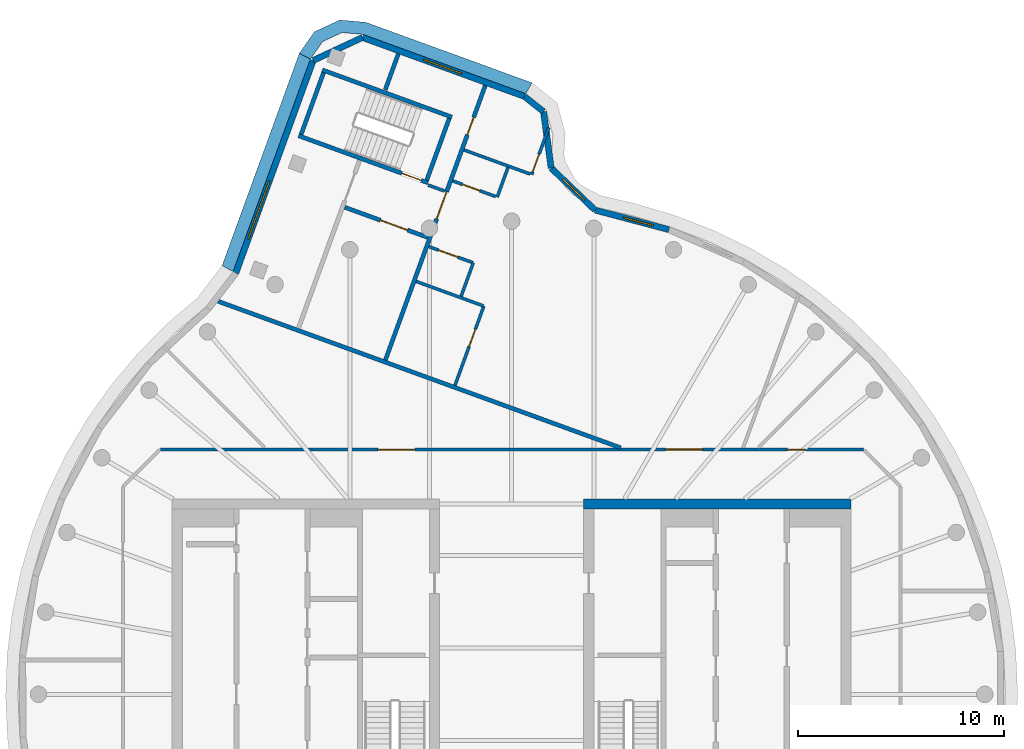
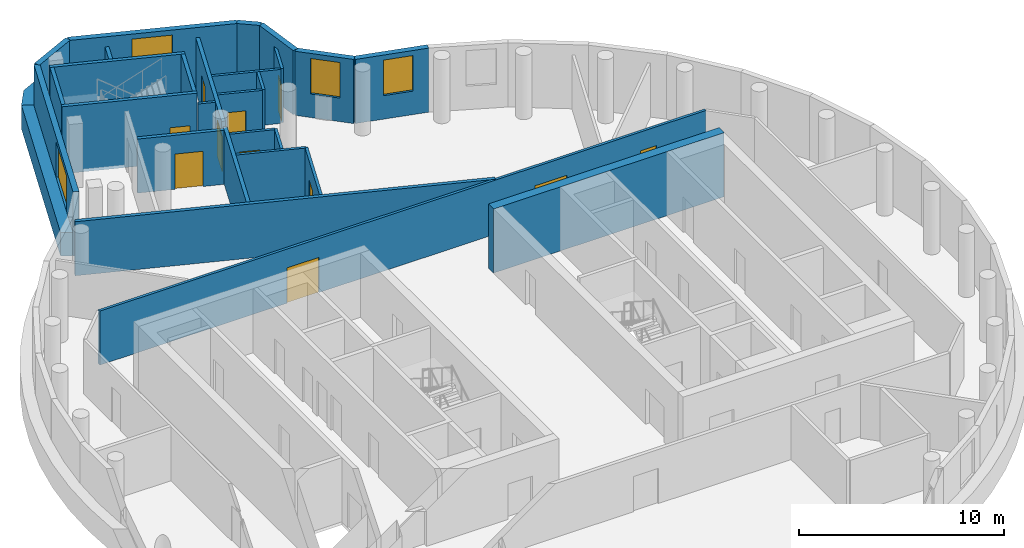
# One storey, part 5 of 7: 27 walls, 11 doors, 4 windows, 2 members, 15 openings.
"""IFC4 building model written with IfcOpenShell, lengths in metres."""

from ifc_helpers import new_model, si_unit, direction, frame, frame_2d, origin, place, context, subcontext, project, spatial, polyline, rectangle, outline, extrude, material, layer, layer_set, type_object, element, fill, aggregate, save


model = new_model("IFC4")

# Units and contexts
model_context = context("Model", 3, precision=1e-05, world=origin(), true_north=direction((0.0, 1.0)))
body_context = subcontext(model_context, "Body", "Model", "MODEL_VIEW")
ifc_project = project(units=[si_unit("LENGTHUNIT", "METRE"), si_unit("AREAUNIT", "SQUARE_METRE"), si_unit("VOLUMEUNIT", "CUBIC_METRE"), si_unit("PLANEANGLEUNIT", "RADIAN"), si_unit("MASSUNIT", "GRAM", prefix="KILO")], contexts=[model_context])

# Member
ifc_material_1 = material(Name="Aluminium and insulated spandrel panel", Category="aluminium")
member_type = type_object("IfcMemberType", Name="Floor-edge blade transom", PredefinedType="USERDEFINED", material=ifc_material_1)
site_placement = place(None, origin())
building_placement = place(site_placement, origin())
storey_placement = place(building_placement, frame((0.0, 0.0, 309.39990234375)))
member_1_placement = place(storey_placement, origin())
member_1 = element("IfcMember", 1, at=member_1_placement, type_object=member_type, Name="CWT-L76-00", ObjectType="TRANSOM", PredefinedType="USERDEFINED", context=body_context, shape_type="SweptSolid", body=[
    extrude(outline(polyline([(0.692626953125, 29.197021484375), (-7.21826171875, 32.076171875), (-8.249755859375, 32.16650390625), (-9.18798828125, 31.728759765625), (-9.78173828125, 30.880859375), (-10.318603515625, 31.16015625), (-9.587158203125, 32.20458984375), (-8.357666015625, 32.778076171875), (-7.08740234375, 32.6669921875), (0.9892578125, 29.7275390625), (0.692626953125, 29.197021484375)])), origin(), (0.0, 0.0, 1.0), 1.400146484375),
])

member_2_placement = place(storey_placement, origin())
member_2 = element("IfcMember", 2, at=member_2_placement, type_object=member_type, Name="CWT-L76-01", ObjectType="TRANSOM", PredefinedType="USERDEFINED", context=body_context, shape_type="SweptSolid", body=[
    extrude(outline(polyline([(-9.78173828125, 30.880859375), (-13.54248046875, 20.54736328125), (-14.07470703125, 20.839599609375), (-10.318603515625, 31.16015625), (-9.78173828125, 30.880859375)])), origin(), (0.0, 0.0, 1.0), 1.400146484375),
])

# Site, building, storey
site = spatial("IfcSite", under=ifc_project, at=site_placement, CompositionType="ELEMENT")
building = spatial("IfcBuilding", under=site, at=building_placement, Name="Tamarind Cross Interchange Tower", CompositionType="ELEMENT")
storey = spatial("IfcBuildingStorey", under=building, at=storey_placement, Name="L76", CompositionType="ELEMENT", Elevation=309.39990234375)

# Walls
ifc_material_2 = material(Name="Concrete C50", Category="concrete")
ifc_layer_1 = layer(ifc_material_2, 0.5)
ifc_layer_set_1 = layer_set([ifc_layer_1], Name="Concrete C50")
wall_type_1 = type_object("IfcWallType", Name="Core wall 500 mm Concrete C50", PredefinedType="SHEAR", material=ifc_layer_set_1)
wall_1_placement = place(storey_placement, frame((16.5, 9.25, 0.0), z_axis=(0.0, 0.0, 1.0), x_axis=(-1.0, 0.0, 0.0)))
element("IfcWall", 3, at=wall_1_placement, inside=storey, type_object=wall_type_1, Name="Core wall CWL-L76-E-NE", PredefinedType="SHEAR", context=body_context, shape_type="SweptSolid", body=[
    extrude(rectangle(XDim=13.0, YDim=0.5, at=frame_2d((6.5, 0.0))), origin(), (0.0, 0.0, 1.0), 3.820068359375),
])
ifc_material_3 = material(Name="Gypsum board partition on steel studs", Category="steel")
ifc_layer_2 = layer(ifc_material_3, 0.14990234375)
ifc_layer_set_2 = layer_set([ifc_layer_2], Name="Gypsum board partition on steel studs")
wall_type_2 = type_object("IfcWallType", Name="Partition 150 mm EI 120", PredefinedType="PARTITIONING", material=ifc_layer_set_2)
wall_2_placement = place(storey_placement, frame((-4.639892578125, 20.07080078125, 0.0), z_axis=(0.0, 0.0, 1.0), x_axis=(0.939625353143, -0.342204903138, 0.0)))
element("IfcWall", 4, at=wall_2_placement, inside=storey, type_object=wall_type_2, Name="Partition L76-007", PredefinedType="PARTITIONING", context=body_context, shape_type="SweptSolid", body=[
    extrude(rectangle(XDim=3.480224609375, YDim=0.14990234375, at=frame_2d((1.740234375, 0.0))), origin(), (0.0, 0.0, 1.0), 3.22021484375),
])

# Wall, opening, door
wall_3_placement = place(storey_placement, frame((-4.02392578125, 21.76171875, 0.0), z_axis=(0.0, 0.0, 1.0), x_axis=(0.939640114695, -0.342164368185, 0.0)))
wall_3 = element("IfcWall", 5, at=wall_3_placement, inside=storey, type_object=wall_type_2, Name="Partition L76-008", PredefinedType="PARTITIONING", context=body_context, shape_type="SweptSolid", body=[
    extrude(rectangle(XDim=2.27978515625, YDim=0.14990234375, at=frame_2d((1.139892578125, 0.0))), origin(), (0.0, 0.0, 1.0), 3.22021484375),
])
opening_1_placement = place(wall_3_placement, frame((0.5, 0.0, 0.0)))
opening_1 = element("IfcOpeningElement", 6, at=opening_1_placement, cuts=wall_3, Name="Opening D02", PredefinedType="OPENING", context=body_context, shape_type="SweptSolid", body=[
    extrude(rectangle(XDim=1.0, YDim=2.10009765625, at=frame_2d((0.5, 1.050048828125))), frame((0.0, 0.0849609375, 0.0), z_axis=(0.0, -1.0, 0.0), x_axis=(1.0, 0.0, 0.0)), (0.0, 0.0, 1.0), 0.169921875),
])
ifc_material_4 = material(Name="Fire-resisting door set")
door_type_1 = type_object("IfcDoorType", Name="Interior door 1000 x 2100 FD60S", OperationType="SINGLE_SWING_LEFT", PredefinedType="DOOR", material=ifc_material_4)
door_1_placement = place(opening_1_placement, frame((1.0, 0.0, 0.0), z_axis=(0.0, 0.0, 1.0), x_axis=(-1.0, 0.0, 0.0)))
door_1 = element("IfcDoor", 7, at=door_1_placement, inside=storey, type_object=door_type_1, Name="Door D02", OperationType="SINGLE_SWING_LEFT", OverallHeight=2.10009765625, OverallWidth=1.0, PredefinedType="DOOR", context=body_context, shape_type="SweptSolid", body=[
    extrude(rectangle(XDim=1.0, YDim=2.10009765625, at=frame_2d((0.5, 1.050048828125))), frame((0.0, 0.02490234375, 0.0), z_axis=(0.0, -1.0, 0.0), x_axis=(1.0, 0.0, 0.0)), (0.0, 0.0, 1.0), 0.050048828125),
])
fill(opening_1, door_1)

# Wall
wall_4_placement = place(storey_placement, frame((-4.0634765625, 24.755859375, 0.0), z_axis=(0.0, 0.0, 1.0), x_axis=(0.939710329429, -0.341971485308, 0.0)))
element("IfcWall", 8, at=wall_4_placement, inside=storey, type_object=wall_type_2, Name="Partition L76-009", PredefinedType="PARTITIONING", context=body_context, shape_type="SweptSolid", body=[
    extrude(rectangle(XDim=0.858154296875, YDim=0.14990234375, at=frame_2d((0.42919921875, 0.0))), origin(), (0.0, 0.0, 1.0), 3.22021484375),
])

# Wall, opening, door
wall_5_placement = place(storey_placement, frame((-2.861083984375, 24.956787109375, 0.0), z_axis=(0.0, 0.0, 1.0), x_axis=(0.93968419655, -0.342043287836, 0.0)))
wall_5 = element("IfcWall", 9, at=wall_5_placement, inside=storey, type_object=wall_type_2, Name="Partition L76-010", PredefinedType="PARTITIONING", context=body_context, shape_type="SweptSolid", body=[
    extrude(rectangle(XDim=2.2197265625, YDim=0.14990234375, at=frame_2d((1.10986328125, 0.0))), origin(), (0.0, 0.0, 1.0), 3.22021484375),
])
opening_2_placement = place(wall_5_placement, frame((0.5, 0.0, 0.0)))
opening_2 = element("IfcOpeningElement", 10, at=opening_2_placement, cuts=wall_5, Name="Opening D03", PredefinedType="OPENING", context=body_context, shape_type="SweptSolid", body=[
    extrude(rectangle(XDim=0.89990234375, YDim=2.10009765625, at=frame_2d((0.449951171875, 1.050048828125))), frame((0.0, 0.0849609375, 0.0), z_axis=(0.0, -1.0, 0.0), x_axis=(1.0, 0.0, 0.0)), (0.0, 0.0, 1.0), 0.169921875),
])
door_type_2 = type_object("IfcDoorType", Name="Interior door 900 x 2100 FD60S", OperationType="SINGLE_SWING_LEFT", PredefinedType="DOOR", material=ifc_material_4)
door_2_placement = place(opening_2_placement, origin())
door_2 = element("IfcDoor", 11, at=door_2_placement, inside=storey, type_object=door_type_2, Name="Door D03", OperationType="SINGLE_SWING_RIGHT", OverallHeight=2.10009765625, OverallWidth=0.89990234375, PredefinedType="DOOR", context=body_context, shape_type="SweptSolid", body=[
    extrude(rectangle(XDim=0.89990234375, YDim=2.10009765625, at=frame_2d((0.449951171875, 1.050048828125))), frame((0.0, 0.02490234375, 0.0), z_axis=(0.0, -1.0, 0.0), x_axis=(1.0, 0.0, 0.0)), (0.0, 0.0, 1.0), 0.050048828125),
])
fill(opening_2, door_2)

# Wall
wall_6_placement = place(storey_placement, frame((-2.31396484375, 26.460693359375, 0.0), z_axis=(0.0, 0.0, 1.0), x_axis=(0.939653710072, -0.342127030718, 0.0)))
element("IfcWall", 12, at=wall_6_placement, inside=storey, type_object=wall_type_2, Name="Partition L76-011", PredefinedType="PARTITIONING", context=body_context, shape_type="SweptSolid", body=[
    extrude(rectangle(XDim=3.420166015625, YDim=0.14990234375, at=frame_2d((1.7099609375, 0.0))), origin(), (0.0, 0.0, 1.0), 3.22021484375),
])

# Wall, openings, doors
wall_7_placement = place(storey_placement, frame((-17.06494140625, 11.89990234375, 0.0), z_axis=(0.0, 0.0, 1.0), x_axis=(1.0, 0.0, 0.0)))
wall_7 = element("IfcWall", 13, at=wall_7_placement, inside=storey, type_object=wall_type_2, Name="Partition L76-015", PredefinedType="PARTITIONING", context=body_context, shape_type="SweptSolid", body=[
    extrude(rectangle(XDim=34.1650390625, YDim=0.14990234375, at=frame_2d((17.08251953125, 0.0))), origin(), (0.0, 0.0, 1.0), 3.22021484375),
])
opening_3_placement = place(wall_7_placement, frame((24.5439453125, 0.0, 0.0)))
opening_3 = element("IfcOpeningElement", 14, at=opening_3_placement, cuts=wall_7, Name="Opening D08", PredefinedType="OPENING", context=body_context, shape_type="SweptSolid", body=[
    extrude(rectangle(XDim=1.800048828125, YDim=2.10009765625, at=frame_2d((0.89990234375, 1.050048828125))), frame((0.0, 0.0849609375, 0.0), z_axis=(0.0, -1.0, 0.0), x_axis=(1.0, 0.0, 0.0)), (0.0, 0.0, 1.0), 0.169921875),
])
opening_4_placement = place(wall_7_placement, frame((30.465087890625, 0.0, 0.0)))
opening_4 = element("IfcOpeningElement", 15, at=opening_4_placement, cuts=wall_7, Name="Opening D09", PredefinedType="OPENING", context=body_context, shape_type="SweptSolid", body=[
    extrude(rectangle(XDim=0.89990234375, YDim=2.10009765625, at=frame_2d((0.449951171875, 1.050048828125))), frame((0.0, 0.0849609375, 0.0), z_axis=(0.0, -1.0, 0.0), x_axis=(1.0, 0.0, 0.0)), (0.0, 0.0, 1.0), 0.169921875),
])
opening_5_placement = place(wall_7_placement, frame((10.56494140625, 0.0, 0.0)))
opening_5 = element("IfcOpeningElement", 16, at=opening_5_placement, cuts=wall_7, Name="Opening D10", PredefinedType="OPENING", context=body_context, shape_type="SweptSolid", body=[
    extrude(rectangle(XDim=1.800048828125, YDim=2.10009765625, at=frame_2d((0.89990234375, 1.050048828125))), frame((0.0, 0.0849609375, 0.0), z_axis=(0.0, -1.0, 0.0), x_axis=(1.0, 0.0, 0.0)), (0.0, 0.0, 1.0), 0.169921875),
])
door_type_3 = type_object("IfcDoorType", Name="Interior door 1800 x 2100 FD60S", OperationType="DOUBLE_DOOR_SINGLE_SWING", PredefinedType="DOOR", material=ifc_material_4)
door_3_placement = place(opening_3_placement, frame((1.800048828125, 0.0, 0.0), z_axis=(0.0, 0.0, 1.0), x_axis=(-1.0, 0.0, 0.0)))
door_3 = element("IfcDoor", 17, at=door_3_placement, inside=storey, type_object=door_type_3, Name="Door D08", OperationType="DOUBLE_DOOR_SINGLE_SWING", OverallHeight=2.10009765625, OverallWidth=1.800048828125, PredefinedType="DOOR", context=body_context, shape_type="SweptSolid", body=[
    extrude(rectangle(XDim=1.800048828125, YDim=2.10009765625, at=frame_2d((0.89990234375, 1.050048828125))), frame((0.0, 0.02490234375, 0.0), z_axis=(0.0, -1.0, 0.0), x_axis=(1.0, 0.0, 0.0)), (0.0, 0.0, 1.0), 0.050048828125),
])
fill(opening_3, door_3)
door_4_placement = place(opening_5_placement, origin())
door_4 = element("IfcDoor", 18, at=door_4_placement, inside=storey, type_object=door_type_3, Name="Door D10", OperationType="DOUBLE_DOOR_SINGLE_SWING", OverallHeight=2.10009765625, OverallWidth=1.800048828125, PredefinedType="DOOR", context=body_context, shape_type="SweptSolid", body=[
    extrude(rectangle(XDim=1.800048828125, YDim=2.10009765625, at=frame_2d((0.89990234375, 1.050048828125))), frame((0.0, 0.02490234375, 0.0), z_axis=(0.0, -1.0, 0.0), x_axis=(1.0, 0.0, 0.0)), (0.0, 0.0, 1.0), 0.050048828125),
])
fill(opening_5, door_4)
door_5_placement = place(opening_4_placement, origin())
door_5 = element("IfcDoor", 19, at=door_5_placement, inside=storey, type_object=door_type_2, Name="Door D09", OperationType="SINGLE_SWING_LEFT", OverallHeight=2.10009765625, OverallWidth=0.89990234375, PredefinedType="DOOR", context=body_context, shape_type="SweptSolid", body=[
    extrude(rectangle(XDim=0.89990234375, YDim=2.10009765625, at=frame_2d((0.449951171875, 1.050048828125))), frame((0.0, 0.02490234375, 0.0), z_axis=(0.0, -1.0, 0.0), x_axis=(1.0, 0.0, 0.0)), (0.0, 0.0, 1.0), 0.050048828125),
])
fill(opening_4, door_5)

# Wall, opening, door
wall_8_placement = place(storey_placement, frame((-2.752685546875, 15.02099609375, 0.0), z_axis=(0.0, 0.0, 1.0), x_axis=(0.341929559358, 0.939725585709, 0.0)))
wall_8 = element("IfcWall", 20, at=wall_8_placement, inside=storey, type_object=wall_type_2, Name="Partition L76-027", PredefinedType="PARTITIONING", context=body_context, shape_type="SweptSolid", body=[
    extrude(rectangle(XDim=4.09912109375, YDim=0.14990234375, at=frame_2d((2.049560546875, 0.0))), origin(), (0.0, 0.0, 1.0), 3.22021484375),
])
opening_6_placement = place(wall_8_placement, frame((2.0, 0.0, 0.0)))
opening_6 = element("IfcOpeningElement", 21, at=opening_6_placement, cuts=wall_8, Name="Opening D14", PredefinedType="OPENING", context=body_context, shape_type="SweptSolid", body=[
    extrude(rectangle(XDim=0.89990234375, YDim=2.10009765625, at=frame_2d((0.449951171875, 1.050048828125))), frame((0.0, 0.0849609375, 0.0), z_axis=(0.0, -1.0, 0.0), x_axis=(1.0, 0.0, 0.0)), (0.0, 0.0, 1.0), 0.169921875),
])
door_6_placement = place(opening_6_placement, origin())
door_6 = element("IfcDoor", 22, at=door_6_placement, inside=storey, type_object=door_type_2, Name="Door D14", OperationType="SINGLE_SWING_LEFT", OverallHeight=2.10009765625, OverallWidth=0.89990234375, PredefinedType="DOOR", context=body_context, shape_type="SweptSolid", body=[
    extrude(rectangle(XDim=0.89990234375, YDim=2.10009765625, at=frame_2d((0.449951171875, 1.050048828125))), frame((0.0, 0.02490234375, 0.0), z_axis=(0.0, -1.0, 0.0), x_axis=(1.0, 0.0, 0.0)), (0.0, 0.0, 1.0), 0.050048828125),
])
fill(opening_6, door_6)

wall_9_placement = place(storey_placement, frame((0.974609375, 25.26318359375, 0.0), z_axis=(0.0, 0.0, 1.0), x_axis=(0.341863980667, 0.939749444652, 0.0)))
wall_9 = element("IfcWall", 23, at=wall_9_placement, inside=storey, type_object=wall_type_2, Name="Partition L76-028", PredefinedType="PARTITIONING", context=body_context, shape_type="SweptSolid", body=[
    extrude(rectangle(XDim=2.431640625, YDim=0.14990234375, at=frame_2d((1.2158203125, 0.0))), origin(), (0.0, 0.0, 1.0), 3.22021484375),
])
opening_7_placement = place(wall_9_placement, frame((0.14990234375, 0.0, 0.0)))
opening_7 = element("IfcOpeningElement", 24, at=opening_7_placement, cuts=wall_9, Name="Opening D15", PredefinedType="OPENING", context=body_context, shape_type="SweptSolid", body=[
    extrude(rectangle(XDim=0.89990234375, YDim=2.10009765625, at=frame_2d((0.449951171875, 1.050048828125))), frame((0.0, 0.0849609375, 0.0), z_axis=(0.0, -1.0, 0.0), x_axis=(1.0, 0.0, 0.0)), (0.0, 0.0, 1.0), 0.169921875),
])
door_7_placement = place(opening_7_placement, origin())
door_7 = element("IfcDoor", 25, at=door_7_placement, inside=storey, type_object=door_type_2, Name="Door D15", OperationType="SINGLE_SWING_RIGHT", OverallHeight=2.10009765625, OverallWidth=0.89990234375, PredefinedType="DOOR", context=body_context, shape_type="SweptSolid", body=[
    extrude(rectangle(XDim=0.89990234375, YDim=2.10009765625, at=frame_2d((0.449951171875, 1.050048828125))), frame((0.0, 0.02490234375, 0.0), z_axis=(0.0, -1.0, 0.0), x_axis=(1.0, 0.0, 0.0)), (0.0, 0.0, 1.0), 0.050048828125),
])
fill(opening_7, door_7)

# Walls
wall_10_placement = place(storey_placement, frame((-2.452392578125, 19.3544921875, 0.0), z_axis=(0.0, 0.0, 1.0), x_axis=(0.341765797908, 0.939785155969, 0.0)))
element("IfcWall", 26, at=wall_10_placement, inside=storey, type_object=wall_type_2, Name="Partition L76-029", PredefinedType="PARTITIONING", context=body_context, shape_type="SweptSolid", body=[
    extrude(rectangle(XDim=1.724365234375, YDim=0.14990234375, at=frame_2d((0.8623046875, 0.0))), origin(), (0.0, 0.0, 1.0), 3.22021484375),
])
wall_11_placement = place(storey_placement, frame((-0.700927734375, 24.17041015625, 0.0), z_axis=(0.0, 0.0, 1.0), x_axis=(0.341897280994, 0.939737329922, 0.0)))
element("IfcWall", 27, at=wall_11_placement, inside=storey, type_object=wall_type_2, Name="Partition L76-030", PredefinedType="PARTITIONING", context=body_context, shape_type="SweptSolid", body=[
    extrude(rectangle(XDim=1.525146484375, YDim=0.14990234375, at=frame_2d((0.7626953125, 0.0))), origin(), (0.0, 0.0, 1.0), 3.22021484375),
])
ifc_layer_3 = layer(ifc_material_3, 0.199951171875)
ifc_layer_set_3 = layer_set([ifc_layer_3], Name="Gypsum board partition on steel studs")
wall_type_3 = type_object("IfcWallType", Name="Partition 200 mm EI 180", PredefinedType="PARTITIONING", material=ifc_layer_set_3)
wall_12_placement = place(storey_placement, frame((-14.27099609375, 19.105712890625, 0.0), z_axis=(0.0, 0.0, 1.0), x_axis=(0.939707843555, -0.341978316216, 0.0)))
element("IfcWall", 28, at=wall_12_placement, inside=storey, type_object=wall_type_3, Name="Partition L76-005", PredefinedType="PARTITIONING", context=body_context, shape_type="SweptSolid", body=[
    extrude(rectangle(XDim=20.830322265625, YDim=0.199951171875, at=frame_2d((10.4150390625, 0.0))), origin(), (0.0, 0.0, 1.0), 3.22021484375),
])

# Wall, opening, door
wall_13_placement = place(storey_placement, frame((-8.115966796875, 23.6767578125, 0.0), z_axis=(0.0, 0.0, 1.0), x_axis=(0.939720382498, -0.341943859016, 0.0)))
wall_13 = element("IfcWall", 29, at=wall_13_placement, inside=storey, type_object=wall_type_3, Name="Partition L76-006", PredefinedType="PARTITIONING", context=body_context, shape_type="SweptSolid", body=[
    extrude(rectangle(XDim=4.29541015625, YDim=0.199951171875, at=frame_2d((2.147705078125, 0.0))), origin(), (0.0, 0.0, 1.0), 3.22021484375),
])
opening_8_placement = place(wall_13_placement, frame((1.85009765625, 0.0, 0.0)))
opening_8 = element("IfcOpeningElement", 30, at=opening_8_placement, cuts=wall_13, Name="Opening D01", PredefinedType="OPENING", context=body_context, shape_type="SweptSolid", body=[
    extrude(rectangle(XDim=1.39990234375, YDim=2.10009765625, at=frame_2d((0.699951171875, 1.050048828125))), frame((0.0, 0.10986328125, 0.0), z_axis=(0.0, -1.0, 0.0), x_axis=(1.0, 0.0, 0.0)), (0.0, 0.0, 1.0), 0.219970703125),
])
door_type_4 = type_object("IfcDoorType", Name="Interior door 1400 x 2100 FD120S", OperationType="DOUBLE_DOOR_SINGLE_SWING", PredefinedType="DOOR", material=ifc_material_4)
door_8_placement = place(opening_8_placement, frame((1.39990234375, 0.0, 0.0), z_axis=(0.0, 0.0, 1.0), x_axis=(-1.0, 0.0, 0.0)))
door_8 = element("IfcDoor", 31, at=door_8_placement, inside=storey, type_object=door_type_4, Name="Door D01", OperationType="DOUBLE_DOOR_SINGLE_SWING", OverallHeight=2.10009765625, OverallWidth=1.39990234375, PredefinedType="DOOR", context=body_context, shape_type="SweptSolid", body=[
    extrude(rectangle(XDim=1.39990234375, YDim=2.10009765625, at=frame_2d((0.699951171875, 1.050048828125))), frame((0.0, 0.02490234375, 0.0), z_axis=(0.0, -1.0, 0.0), x_axis=(1.0, 0.0, 0.0)), (0.0, 0.0, 1.0), 0.050048828125),
])
fill(opening_8, door_8)

# Walls
wall_14_placement = place(storey_placement, frame((-6.14404296875, 29.38720703125, 0.0), z_axis=(0.0, 0.0, 1.0), x_axis=(0.342080568825, 0.939670625502, 0.0)))
element("IfcWall", 32, at=wall_14_placement, inside=storey, type_object=wall_type_3, Name="Partition L76-024", PredefinedType="PARTITIONING", context=body_context, shape_type="SweptSolid", body=[
    extrude(rectangle(XDim=1.8583984375, YDim=0.199951171875, at=frame_2d((0.92919921875, 0.0))), origin(), (0.0, 0.0, 1.0), 3.22021484375),
])
wall_15_placement = place(storey_placement, frame((-6.1357421875, 16.251953125, 0.0), z_axis=(0.0, 0.0, 1.0), x_axis=(0.341890434998, 0.939739820619, 0.0)))
element("IfcWall", 33, at=wall_15_placement, inside=storey, type_object=wall_type_3, Name="Partition L76-025", PredefinedType="PARTITIONING", context=body_context, shape_type="SweptSolid", body=[
    extrude(rectangle(XDim=6.517578125, YDim=0.199951171875, at=frame_2d((3.2587890625, 0.0))), origin(), (0.0, 0.0, 1.0), 3.22021484375),
])

# Wall, openings, doors
wall_16_placement = place(storey_placement, frame((-3.753662109375, 22.799560546875, 0.0), z_axis=(0.0, 0.0, 1.0), x_axis=(0.341897570455, 0.93973722461, 0.0)))
wall_16 = element("IfcWall", 34, at=wall_16_placement, inside=storey, type_object=wall_type_3, Name="Partition L76-026", PredefinedType="PARTITIONING", context=body_context, shape_type="SweptSolid", body=[
    extrude(rectangle(XDim=7.2314453125, YDim=0.199951171875, at=frame_2d((3.61572265625, 0.0))), origin(), (0.0, 0.0, 1.0), 3.22021484375),
])
opening_9_placement = place(wall_16_placement, frame((0.332275390625, 0.0, 0.0)))
opening_9 = element("IfcOpeningElement", 35, at=opening_9_placement, cuts=wall_16, Name="Opening D12", PredefinedType="OPENING", context=body_context, shape_type="SweptSolid", body=[
    extrude(rectangle(XDim=1.39990234375, YDim=2.10009765625, at=frame_2d((0.699951171875, 1.050048828125))), frame((0.0, 0.10986328125, 0.0), z_axis=(0.0, -1.0, 0.0), x_axis=(1.0, 0.0, 0.0)), (0.0, 0.0, 1.0), 0.219970703125),
])
opening_10_placement = place(wall_16_placement, frame((4.6826171875, 0.0, 0.0)))
opening_10 = element("IfcOpeningElement", 36, at=opening_10_placement, cuts=wall_16, Name="Opening D13", PredefinedType="OPENING", context=body_context, shape_type="SweptSolid", body=[
    extrude(rectangle(XDim=0.89990234375, YDim=2.10009765625, at=frame_2d((0.449951171875, 1.050048828125))), frame((0.0, 0.10986328125, 0.0), z_axis=(0.0, -1.0, 0.0), x_axis=(1.0, 0.0, 0.0)), (0.0, 0.0, 1.0), 0.219970703125),
])
door_9_placement = place(opening_9_placement, frame((1.39990234375, 0.0, 0.0), z_axis=(0.0, 0.0, 1.0), x_axis=(-1.0, 0.0, 0.0)))
door_9 = element("IfcDoor", 37, at=door_9_placement, inside=storey, type_object=door_type_4, Name="Door D12", OperationType="DOUBLE_DOOR_SINGLE_SWING", OverallHeight=2.10009765625, OverallWidth=1.39990234375, PredefinedType="DOOR", context=body_context, shape_type="SweptSolid", body=[
    extrude(rectangle(XDim=1.39990234375, YDim=2.10009765625, at=frame_2d((0.699951171875, 1.050048828125))), frame((0.0, 0.02490234375, 0.0), z_axis=(0.0, -1.0, 0.0), x_axis=(1.0, 0.0, 0.0)), (0.0, 0.0, 1.0), 0.050048828125),
])
fill(opening_9, door_9)
door_type_5 = type_object("IfcDoorType", Name="Interior door 900 x 2100 FD120S", OperationType="SINGLE_SWING_LEFT", PredefinedType="DOOR", material=ifc_material_4)
door_10_placement = place(opening_10_placement, origin())
door_10 = element("IfcDoor", 38, at=door_10_placement, inside=storey, type_object=door_type_5, Name="Door D13", OperationType="SINGLE_SWING_LEFT", OverallHeight=2.10009765625, OverallWidth=0.89990234375, PredefinedType="DOOR", context=body_context, shape_type="SweptSolid", body=[
    extrude(rectangle(XDim=0.89990234375, YDim=2.10009765625, at=frame_2d((0.449951171875, 1.050048828125))), frame((0.0, 0.02490234375, 0.0), z_axis=(0.0, -1.0, 0.0), x_axis=(1.0, 0.0, 0.0)), (0.0, 0.0, 1.0), 0.050048828125),
])
fill(opening_10, door_10)

# Wall, opening, window
ifc_material_5 = material(Name="Precast concrete C40", Category="concrete")
ifc_layer_4 = layer(ifc_material_5, 0.300048828125)
ifc_layer_set_4 = layer_set([ifc_layer_4], Name="Precast concrete C40")
wall_type_4 = type_object("IfcWallType", Name="Plant louvre wall", PredefinedType="SOLIDWALL", material=ifc_layer_set_4)
wall_17_placement = place(storey_placement, frame((0.61865234375, 29.064453125, 0.0), z_axis=(0.0, 0.0, 1.0), x_axis=(-0.93970742794, 0.341979458265, 0.0)))
wall_17 = element("IfcWall", 39, at=wall_17_placement, inside=storey, type_object=wall_type_4, Name="EXW-L76-00-00", PredefinedType="SOLIDWALL", context=body_context, shape_type="SweptSolid", body=[
    extrude(rectangle(XDim=8.374755859375, YDim=0.300048828125, at=frame_2d((4.1875, 0.0))), origin(), (0.0, 0.0, 1.0), 3.820068359375),
])
opening_11_placement = place(wall_17_placement, frame((3.216796875, 0.0, 1.39990234375)))
opening_11 = element("IfcOpeningElement", 40, at=opening_11_placement, cuts=wall_17, Name="Opening W2", PredefinedType="OPENING", context=body_context, shape_type="SweptSolid", body=[
    extrude(rectangle(XDim=1.998291015625, YDim=2.1201171875, at=frame_2d((0.9990234375, 1.06005859375))), frame((0.0, 0.159912109375, 0.0), z_axis=(0.0, -1.0, 0.0), x_axis=(1.0, 0.0, 0.0)), (0.0, 0.0, 1.0), 0.320068359375),
])
ifc_material_6 = material(Name="Aluminium louvre", Category="aluminium")
window_type = type_object("IfcWindowType", Name="Plant louvre bank", PartitioningType="SINGLE_PANEL", PredefinedType="WINDOW", material=ifc_material_6)
window_1_placement = place(opening_11_placement, origin())
window_1 = element("IfcWindow", 41, at=window_1_placement, inside=storey, type_object=window_type, Name="WIN-L76-00-00", OverallHeight=2.1201171875, OverallWidth=1.998291015625, PartitioningType="SINGLE_PANEL", PredefinedType="WINDOW", context=body_context, shape_type="SweptSolid", body=[
    extrude(rectangle(XDim=1.998291015625, YDim=2.1201171875, at=frame_2d((0.9990234375, 1.06005859375))), frame((0.0, 0.030029296875, 0.0), z_axis=(0.0, -1.0, 0.0), x_axis=(1.0, 0.0, 0.0)), (0.0, 0.0, 1.0), 0.06005859375),
])
fill(opening_11, window_1)

aggregate(wall_17, [member_1])

# Wall
wall_18_placement = place(storey_placement, frame((-7.251220703125, 31.928466796875, 0.0), z_axis=(0.0, 0.0, 1.0), x_axis=(-0.906301055213, -0.422632697882, 0.0)))
element("IfcWall", 42, at=wall_18_placement, inside=storey, type_object=wall_type_4, Name="EXW-L76-00-01", PredefinedType="SOLIDWALL", context=body_context, shape_type="SweptSolid", body=[
    extrude(rectangle(XDim=2.64404296875, YDim=0.300048828125, at=frame_2d((1.322021484375, 0.0))), origin(), (0.0, 0.0, 1.0), 3.820068359375),
])

# Wall, opening, window
wall_19_placement = place(storey_placement, frame((-9.6474609375, 30.81103515625, 0.0), z_axis=(0.0, 0.0, 1.0), x_axis=(-0.341997884375, -0.939700722083, 0.0)))
wall_19 = element("IfcWall", 43, at=wall_19_placement, inside=storey, type_object=wall_type_4, Name="EXW-L76-01-00", PredefinedType="SOLIDWALL", context=body_context, shape_type="SweptSolid", body=[
    extrude(rectangle(XDim=11.0, YDim=0.300048828125, at=frame_2d((5.5, 0.0))), origin(), (0.0, 0.0, 1.0), 3.820068359375),
])
opening_12_placement = place(wall_19_placement, frame((6.230224609375, 0.0, 1.39990234375)))
opening_12 = element("IfcOpeningElement", 44, at=opening_12_placement, cuts=wall_19, Name="Opening W2", PredefinedType="OPENING", context=body_context, shape_type="SweptSolid", body=[
    extrude(rectangle(XDim=3.0, YDim=2.1201171875, at=frame_2d((1.5, 1.06005859375))), frame((0.0, 0.159912109375, 0.0), z_axis=(0.0, -1.0, 0.0), x_axis=(1.0, 0.0, 0.0)), (0.0, 0.0, 1.0), 0.320068359375),
])
window_2_placement = place(opening_12_placement, origin())
window_2 = element("IfcWindow", 45, at=window_2_placement, inside=storey, type_object=window_type, Name="WIN-L76-01-00", OverallHeight=2.1201171875, OverallWidth=3.0, PartitioningType="SINGLE_PANEL", PredefinedType="WINDOW", context=body_context, shape_type="SweptSolid", body=[
    extrude(rectangle(XDim=3.0, YDim=2.1201171875, at=frame_2d((1.5, 1.06005859375))), frame((0.0, 0.030029296875, 0.0), z_axis=(0.0, -1.0, 0.0), x_axis=(1.0, 0.0, 0.0)), (0.0, 0.0, 1.0), 0.06005859375),
])
fill(opening_12, window_2)

aggregate(wall_19, [member_2])

wall_20_placement = place(storey_placement, frame((7.6455078125, 22.5869140625, 0.0), z_axis=(0.0, 0.0, 1.0), x_axis=(-0.96658946477, 0.256329488347, 0.0)))
wall_20 = element("IfcWall", 46, at=wall_20_placement, inside=storey, type_object=wall_type_4, Name="EXW-L76-02-33", PredefinedType="SOLIDWALL", context=body_context, shape_type="SweptSolid", body=[
    extrude(rectangle(XDim=3.716552734375, YDim=0.300048828125, at=frame_2d((1.8583984375, 0.0))), origin(), (0.0, 0.0, 1.0), 3.820068359375),
])
opening_13_placement = place(wall_20_placement, frame((0.786865234375, 0.0, 1.39990234375)))
opening_13 = element("IfcOpeningElement", 47, at=opening_13_placement, cuts=wall_20, Name="Opening W2", PredefinedType="OPENING", context=body_context, shape_type="SweptSolid", body=[
    extrude(rectangle(XDim=1.509033203125, YDim=2.1201171875, at=frame_2d((0.75439453125, 1.06005859375))), frame((0.0, 0.159912109375, 0.0), z_axis=(0.0, -1.0, 0.0), x_axis=(1.0, 0.0, 0.0)), (0.0, 0.0, 1.0), 0.320068359375),
])
window_3_placement = place(opening_13_placement, origin())
window_3 = element("IfcWindow", 48, at=window_3_placement, inside=storey, type_object=window_type, Name="WIN-L76-02-33", OverallHeight=2.1201171875, OverallWidth=1.509033203125, PartitioningType="SINGLE_PANEL", PredefinedType="WINDOW", context=body_context, shape_type="SweptSolid", body=[
    extrude(rectangle(XDim=1.509033203125, YDim=2.1201171875, at=frame_2d((0.75439453125, 1.06005859375))), frame((0.0, 0.030029296875, 0.0), z_axis=(0.0, -1.0, 0.0), x_axis=(1.0, 0.0, 0.0)), (0.0, 0.0, 1.0), 0.06005859375),
])
fill(opening_13, window_3)

wall_21_placement = place(storey_placement, frame((4.05322265625, 23.53955078125, 0.0), z_axis=(0.0, 0.0, 1.0), x_axis=(-0.721986485098, 0.691907158032, 0.0)))
wall_21 = element("IfcWall", 49, at=wall_21_placement, inside=storey, type_object=wall_type_4, Name="EXW-L76-02-34", PredefinedType="SOLIDWALL", context=body_context, shape_type="SweptSolid", body=[
    extrude(rectangle(XDim=2.954345703125, YDim=0.300048828125, at=frame_2d((1.47705078125, 0.0))), origin(), (0.0, 0.0, 1.0), 3.820068359375),
])
opening_14_placement = place(wall_21_placement, frame((0.677734375, 0.0, 1.39990234375)))
opening_14 = element("IfcOpeningElement", 50, at=opening_14_placement, cuts=wall_21, Name="Opening W2", PredefinedType="OPENING", context=body_context, shape_type="SweptSolid", body=[
    extrude(rectangle(XDim=1.487548828125, YDim=2.1201171875, at=frame_2d((0.74365234375, 1.06005859375))), frame((0.0, 0.159912109375, 0.0), z_axis=(0.0, -1.0, 0.0), x_axis=(1.0, 0.0, 0.0)), (0.0, 0.0, 1.0), 0.320068359375),
])
window_4_placement = place(opening_14_placement, origin())
window_4 = element("IfcWindow", 51, at=window_4_placement, inside=storey, type_object=window_type, Name="WIN-L76-02-34", OverallHeight=2.1201171875, OverallWidth=1.487548828125, PartitioningType="SINGLE_PANEL", PredefinedType="WINDOW", context=body_context, shape_type="SweptSolid", body=[
    extrude(rectangle(XDim=1.487548828125, YDim=2.1201171875, at=frame_2d((0.74365234375, 1.06005859375))), frame((0.0, 0.030029296875, 0.0), z_axis=(0.0, -1.0, 0.0), x_axis=(1.0, 0.0, 0.0)), (0.0, 0.0, 1.0), 0.06005859375),
])
fill(opening_14, window_4)

# Walls
wall_22_placement = place(storey_placement, frame((1.920166015625, 25.583740234375, 0.0), z_axis=(0.0, 0.0, 1.0), x_axis=(-0.133683682647, 0.991024052682, 0.0)))
element("IfcWall", 52, at=wall_22_placement, inside=storey, type_object=wall_type_4, Name="EXW-L76-02-35", PredefinedType="SOLIDWALL", context=body_context, shape_type="SweptSolid", body=[
    extrude(rectangle(XDim=2.766845703125, YDim=0.300048828125, at=frame_2d((1.38330078125, 0.0))), origin(), (0.0, 0.0, 1.0), 3.820068359375),
])
wall_23_placement = place(storey_placement, frame((1.55029296875, 28.32568359375, 0.0), z_axis=(0.0, 0.0, 1.0), x_axis=(-0.78354593718, 0.621333858991, 0.0)))
element("IfcWall", 53, at=wall_23_placement, inside=storey, type_object=wall_type_4, Name="EXW-L76-02-36", PredefinedType="SOLIDWALL", context=body_context, shape_type="SweptSolid", body=[
    extrude(rectangle(XDim=1.18896484375, YDim=0.300048828125, at=frame_2d((0.594482421875, 0.0))), origin(), (0.0, 0.0, 1.0), 3.820068359375),
])

# Wall, opening, door
ifc_material_7 = material(Name="Concrete C40", Category="concrete")
ifc_layer_5 = layer(ifc_material_7, 0.199951171875)
ifc_layer_set_5 = layer_set([ifc_layer_5], Name="Concrete C40")
wall_type_5 = type_object("IfcWallType", Name="Stair shaft wall 200 mm Concrete C40", PredefinedType="SHEAR", material=ifc_layer_set_5)
wall_24_placement = place(storey_placement, frame((-4.06591796875, 24.86328125, -0.179931640625), z_axis=(0.0, 0.0, 1.0), x_axis=(-0.939709347419, 0.341974183781, 0.0)))
wall_24 = element("IfcWall", 54, at=wall_24_placement, inside=storey, type_object=wall_type_5, Name="Core wall CWL-L76-ST4-H", PredefinedType="SHEAR", context=body_context, shape_type="SweptSolid", body=[
    extrude(rectangle(XDim=6.7001953125, YDim=0.199951171875, at=frame_2d((3.35009765625, 0.0))), origin(), (0.0, 0.0, 1.0), 4.0),
])
opening_15_placement = place(wall_24_placement, frame((0.35009765625, 0.0, 0.0)))
opening_15 = element("IfcOpeningElement", 55, at=opening_15_placement, cuts=wall_24, Name="Opening ST4L76", PredefinedType="OPENING", context=body_context, shape_type="SweptSolid", body=[
    extrude(rectangle(XDim=1.0, YDim=2.10009765625, at=frame_2d((0.5, 1.050048828125))), frame((0.0, 0.10986328125, 0.0), z_axis=(0.0, -1.0, 0.0), x_axis=(1.0, 0.0, 0.0)), (0.0, 0.0, 1.0), 0.219970703125),
])
ifc_material_8 = material(Name="Steel, fire-resisting", Category="steel")
door_type_6 = type_object("IfcDoorType", Name="Core fire door 1000 x 2100 FD90", OperationType="SINGLE_SWING_LEFT", PredefinedType="DOOR", material=ifc_material_8)
door_11_placement = place(opening_15_placement, origin())
door_11 = element("IfcDoor", 56, at=door_11_placement, inside=storey, type_object=door_type_6, Name="L76 stair door ST4", OperationType="SINGLE_SWING_LEFT", OverallHeight=2.10009765625, OverallWidth=1.0, PredefinedType="DOOR", context=body_context, shape_type="SweptSolid", body=[
    extrude(rectangle(XDim=1.0, YDim=2.10009765625, at=frame_2d((0.5, 1.050048828125))), frame((0.0, 0.02490234375, 0.0), z_axis=(0.0, -1.0, 0.0), x_axis=(1.0, 0.0, 0.0)), (0.0, 0.0, 1.0), 0.050048828125),
])
fill(opening_15, door_11)

# Walls
wall_25_placement = place(storey_placement, frame((-2.9033203125, 28.05810546875, -0.179931640625), z_axis=(0.0, 0.0, 1.0), x_axis=(-0.939693375008, 0.342018071111, 0.0)))
element("IfcWall", 57, at=wall_25_placement, inside=storey, type_object=wall_type_5, Name="Core wall CWL-L76-ST4-C", PredefinedType="SHEAR", context=body_context, shape_type="SweptSolid", body=[
    extrude(rectangle(XDim=6.699951171875, YDim=0.199951171875, at=frame_2d((3.35009765625, 0.0))), origin(), (0.0, 0.0, 1.0), 4.0),
])
wall_26_placement = place(storey_placement, frame((-3.031494140625, 27.998291015625, -0.179931640625), z_axis=(0.0, 0.0, 1.0), x_axis=(-0.341975850632, -0.939708740826, 0.0)))
element("IfcWall", 58, at=wall_26_placement, inside=storey, type_object=wall_type_5, Name="Core wall CWL-L76-ST4-CE", PredefinedType="SHEAR", context=body_context, shape_type="SweptSolid", body=[
    extrude(rectangle(XDim=3.19970703125, YDim=0.199951171875, at=frame_2d((1.599853515625, 0.0))), origin(), (0.0, 0.0, 1.0), 4.0),
])
wall_27_placement = place(storey_placement, frame((0.0, 0.0, -0.179931640625)))
element("IfcWall", 59, at=wall_27_placement, inside=storey, type_object=wall_type_5, Name="Core wall CWL-L76-ST4-CF", PredefinedType="SHEAR", context=body_context, shape_type="SweptSolid", body=[
    extrude(outline(polyline([(-9.04541015625, 30.187255859375), (-9.2333984375, 30.255615234375), (-10.327880859375, 27.24853515625), (-10.139892578125, 27.18017578125), (-9.04541015625, 30.187255859375)])), origin(), (0.0, 0.0, 1.0), 4.0),
])

save(model, "model.ifc")
